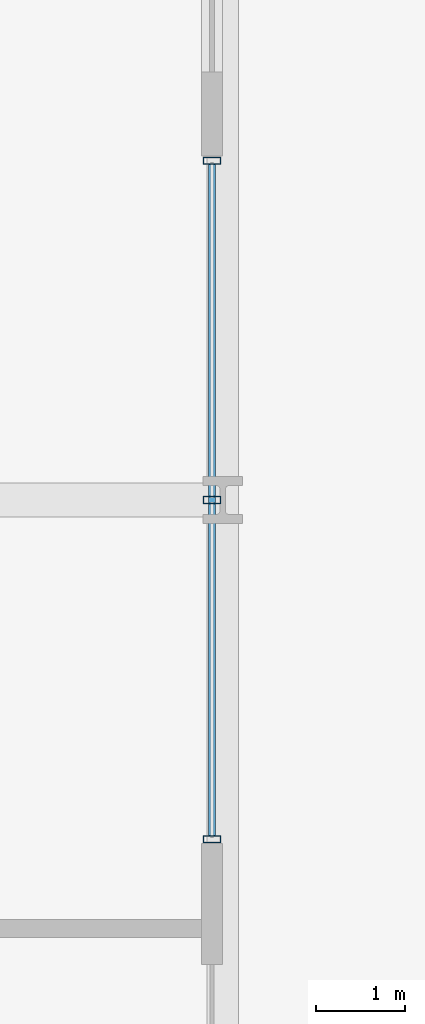
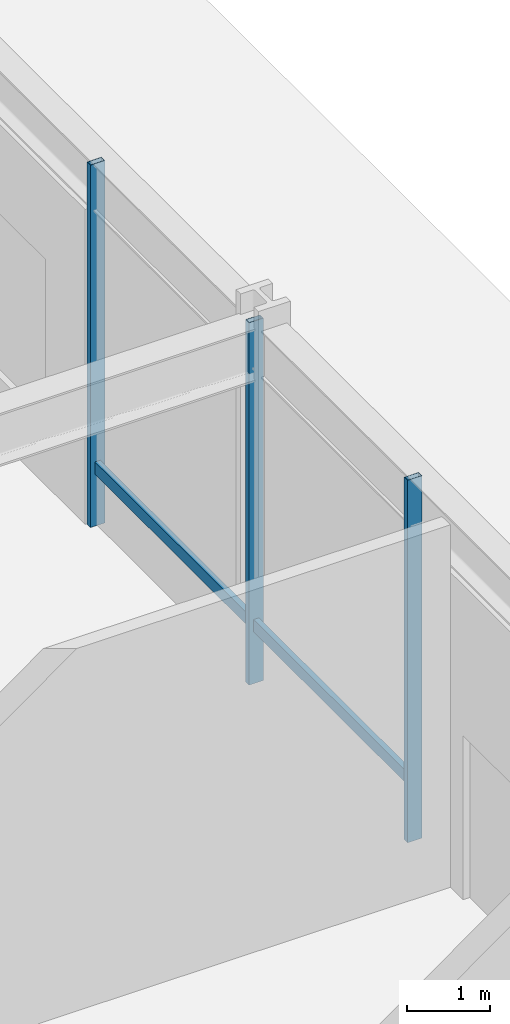
# One storey, part 9 of 21: 4 members, 1 element without a shape of its own.
"""IFC4 building model written with IfcOpenShell, lengths in metres."""

from ifc_helpers import new_model, si_unit, direction, frame, origin, origin_2d, place, context, subcontext, project, spatial, hollow_rectangle, extrude, material, layer, layer_set, material_profile, profile_set, type_object, element, aggregate, save


model = new_model("IFC4")

# Units and contexts
model_context = context("Model", 3, precision=1e-05, world=origin(), true_north=direction((0.0, 1.0)))
body_context = subcontext(model_context, "Body", "Model", "MODEL_VIEW")
ifc_project = project(units=[si_unit("LENGTHUNIT", "METRE"), si_unit("AREAUNIT", "SQUARE_METRE"), si_unit("VOLUMEUNIT", "CUBIC_METRE"), si_unit("PLANEANGLEUNIT", "RADIAN"), si_unit("MASSUNIT", "GRAM", prefix="KILO")], contexts=[model_context])

# Site, building, storey
site_placement = place(None, origin())
site = spatial("IfcSite", under=ifc_project, at=site_placement, CompositionType="ELEMENT")
building_placement = place(site_placement, origin())
building = spatial("IfcBuilding", under=site, at=building_placement, Name="Drelvath Grand Hotel", CompositionType="ELEMENT")
storey_placement = place(building_placement, origin())
storey = spatial("IfcBuildingStorey", under=building, at=storey_placement, Name="L00", CompositionType="ELEMENT", Elevation=0.0)

# Curtain wall, members
ifc_material = material(Name="Dark Bronze Anodised Aluminium Frame", Category="aluminium")
ifc_layer = layer(ifc_material, 0.199951171875)
ifc_layer_set = layer_set([ifc_layer], Name="Dark Bronze Anodised Aluminium Frame")
curtain_wall_type = type_object("IfcCurtainWallType", Name="Stick Curtain Wall CW-01 Dark Bronze Podium", PredefinedType="NOTDEFINED", material=ifc_layer_set)
curtain_wall_placement = place(storey_placement, origin())
curtain_wall = element("IfcCurtainWall", 1, at=curtain_wall_placement, inside=storey, type_object=curtain_wall_type, Name="L00 CW-01 Curtain Wall CW01-L00-EA2", PredefinedType="NOTDEFINED")
ifc_material_profile_1 = material_profile(ifc_material, hollow_rectangle(XDim=0.074951171875, YDim=0.179931640625, WallThickness=0.0048828125, at=origin_2d()), Name="HSS180X75X5")
ifc_profile_set_1 = profile_set([ifc_material_profile_1], Name="Dark Bronze Anodised Aluminium Frame")
member_type_1 = type_object("IfcMemberType", Name="Curtain Wall Horizontal Transom CW-01 HSS180X75X5", PredefinedType="USERDEFINED", material=ifc_profile_set_1)
member_1_placement = place(storey_placement, frame((38.8798828125, 39.159912109375, 0.85009765625), z_axis=(0.0, -1.0, 0.0), x_axis=(1.0, 0.0, 0.0)))
member_1 = element("IfcMember", 2, at=member_1_placement, type_object=member_type_1, Name="CW01-L00-EA2 Sill Transom", ObjectType="TRANSOM", PredefinedType="USERDEFINED", context=body_context, shape_type="SweptSolid", body=[
    extrude(hollow_rectangle(XDim=0.074951171875, YDim=0.179931640625, WallThickness=0.0048828125, at=origin_2d()), origin(), (0.0, 0.0, 1.0), 7.52001953125),
])
ifc_material_profile_2 = material_profile(ifc_material, hollow_rectangle(XDim=0.080078125, YDim=0.199951171875, WallThickness=0.0048828125, at=origin_2d()), Name="HSS200X80X5")
ifc_profile_set_2 = profile_set([ifc_material_profile_2], Name="Dark Bronze Anodised Aluminium Frame")
member_type_2 = type_object("IfcMemberType", Name="Curtain Wall Vertical Mullion CW-01 HSS200X80X5", PredefinedType="MULLION", material=ifc_profile_set_2)
member_2_placement = place(storey_placement, frame((38.8798828125, 39.199951171875, 0.0), z_axis=(0.0, 0.0, 1.0), x_axis=(0.0, 1.0, 0.0)))
member_2 = element("IfcMember", 3, at=member_2_placement, type_object=member_type_2, Name="CW01-L00-EA2 Mullion 1", PredefinedType="MULLION", context=body_context, shape_type="SweptSolid", body=[
    extrude(hollow_rectangle(XDim=0.080078125, YDim=0.199951171875, WallThickness=0.0048828125, at=origin_2d()), origin(), (0.0, 0.0, 1.0), 5.300048828125),
])
member_3_placement = place(storey_placement, frame((38.8798828125, 35.39990234375, 0.0), z_axis=(0.0, 0.0, 1.0), x_axis=(0.0, 1.0, 0.0)))
member_3 = element("IfcMember", 4, at=member_3_placement, type_object=member_type_2, Name="CW01-L00-EA2 Mullion 2", PredefinedType="MULLION", context=body_context, shape_type="SweptSolid", body=[
    extrude(hollow_rectangle(XDim=0.080078125, YDim=0.199951171875, WallThickness=0.0048828125, at=origin_2d()), origin(), (0.0, 0.0, 1.0), 5.300048828125),
])
member_4_placement = place(storey_placement, frame((38.8798828125, 31.60009765625, 0.0), z_axis=(0.0, 0.0, 1.0), x_axis=(0.0, 1.0, 0.0)))
member_4 = element("IfcMember", 5, at=member_4_placement, type_object=member_type_2, Name="CW01-L00-EA2 Mullion 3", PredefinedType="MULLION", context=body_context, shape_type="SweptSolid", body=[
    extrude(hollow_rectangle(XDim=0.080078125, YDim=0.199951171875, WallThickness=0.0048828125, at=origin_2d()), origin(), (0.0, 0.0, 1.0), 5.300048828125),
])
aggregate(curtain_wall, [member_2, member_3, member_4, member_1])

save(model, "model.ifc")
